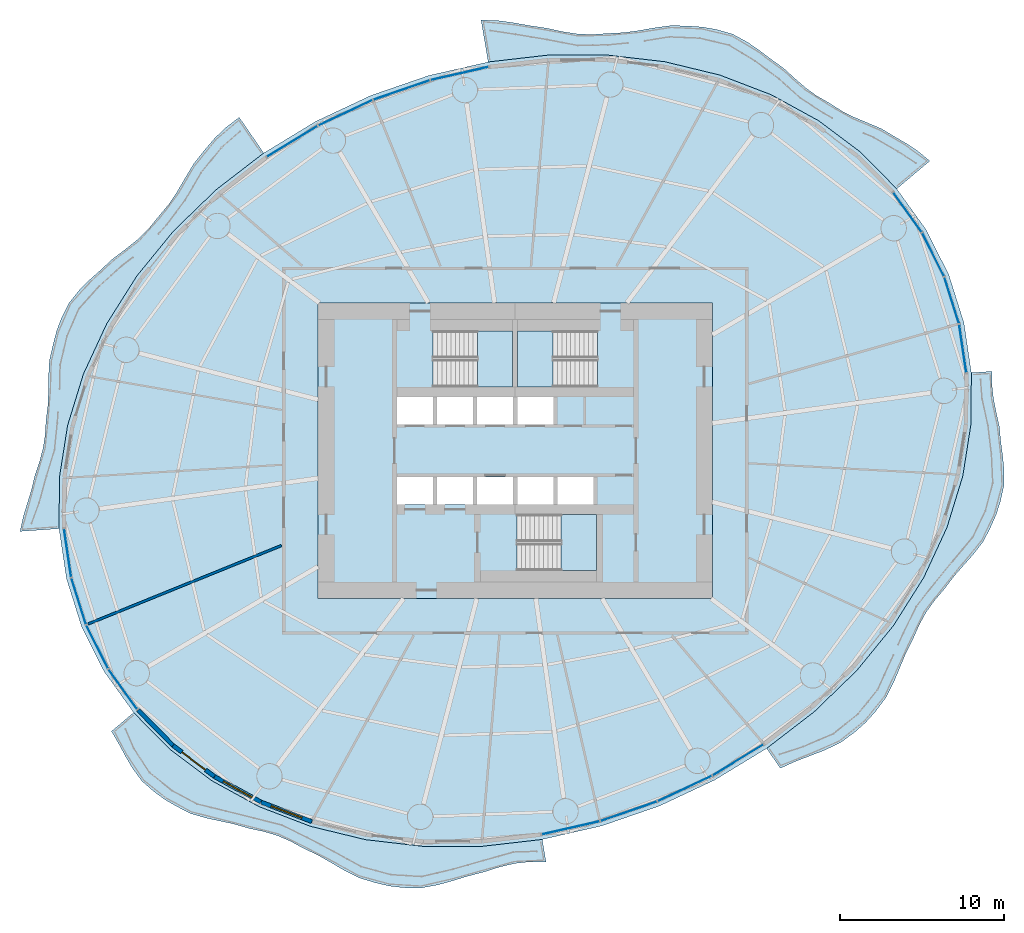
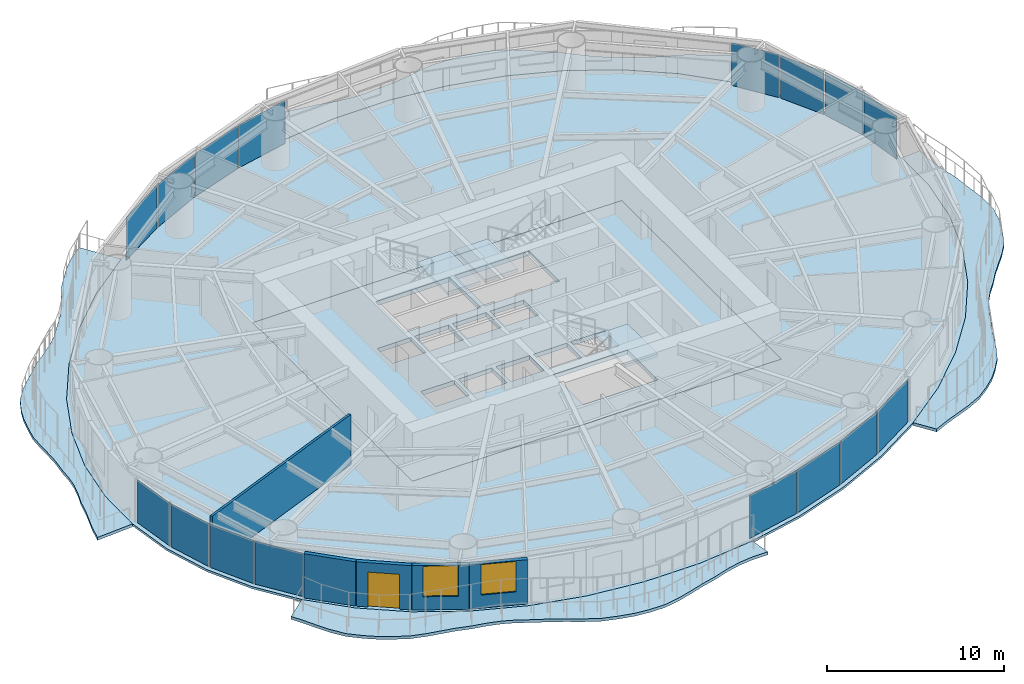
# One storey, part 6 of 15: 16 plates, 9 slabs, 5 walls, 2 windows, 1 door, 3 openings, 19 elements without a shape of their own.
"""IFC4 building model written with IfcOpenShell, lengths in metres."""

from ifc_helpers import new_model, si_unit, direction, frame, frame_2d, origin, origin_2d, place, context, subcontext, project, spatial, polyline, rectangle, outline, extrude, material, layer, layer_set, type_object, element, fill, aggregate, save


model = new_model("IFC4")

# Units and contexts
model_context = context("Model", 3, precision=1e-05, world=origin(), true_north=direction((0.0, 1.0)))
body_context = subcontext(model_context, "Body", "Model", "MODEL_VIEW")
ifc_project = project(units=[si_unit("LENGTHUNIT", "METRE"), si_unit("AREAUNIT", "SQUARE_METRE"), si_unit("VOLUMEUNIT", "CUBIC_METRE"), si_unit("PLANEANGLEUNIT", "RADIAN"), si_unit("MASSUNIT", "GRAM", prefix="KILO")], contexts=[model_context])

# Site, building, storey
site_placement = place(None, origin())
site = spatial("IfcSite", under=ifc_project, at=site_placement, CompositionType="ELEMENT")
building_placement = place(site_placement, origin())
building = spatial("IfcBuilding", under=site, at=building_placement, Name="Vermilion Reach Broadcast Tower", CompositionType="ELEMENT")
storey_placement = place(building_placement, frame((0.0, 0.0, 121.0)))
storey = spatial("IfcBuildingStorey", under=building, at=storey_placement, Name="L28", CompositionType="ELEMENT", Elevation=121.0)

# Slabs
ifc_material_1 = material(Name="Concrete C40/50", Category="concrete")
ifc_layer_1 = layer(ifc_material_1, 0.199951171875)
ifc_layer_set_1 = layer_set([ifc_layer_1], Name="Balcony slab 200")
slab_type_1 = type_object("IfcSlabType", Name="Balcony slab 200", PredefinedType="FLOOR", material=ifc_layer_set_1)
placement_1 = place(storey_placement, frame((0.0, 0.0, -0.199951171875)))
element("IfcSlab", 1, at=placement_1, inside=storey, type_object=slab_type_1, Name="Balcony slab L28 group 1", PredefinedType="FLOOR", context=body_context, shape_type="SweptSolid", body=[
    extrude(outline(polyline([(17.228515625, 15.943115234375), (15.03173828125, 18.17236328125), (12.474853515625, 20.090576171875), (9.60205078125, 21.665283203125), (6.462158203125, 22.869140625), (3.10888671875, 23.681640625), (-0.39990234375, 24.089111328125), (-4.0048828125, 24.084228515625), (-7.643798828125, 23.66748046875), (-8.07958984375, 26.22314453125), (-7.01025390625, 26.182861328125), (-6.073486328125, 26.0517578125), (-5.132568359375, 25.883056640625), (-4.099853515625, 25.73046875), (-3.10546875, 25.51318359375), (-2.2041015625, 25.375732421875), (-1.302978515625, 25.339111328125), (-0.324462890625, 25.4091796875), (0.64794921875, 25.458251953125), (1.5517578125, 25.58447265625), (2.45947265625, 25.74560546875), (3.502685546875, 25.88720703125), (4.5244140625, 25.860595703125), (5.396728515625, 25.798095703125), (6.247802734375, 25.6474609375), (7.238525390625, 25.362548828125), (8.133056640625, 24.879150390625), (8.84619140625, 24.390380859375), (9.543701171875, 23.861572265625), (10.349609375, 23.279541015625), (11.064697265625, 22.6298828125), (11.69873046875, 22.08251953125), (12.367431640625, 21.598876953125), (13.156005859375, 21.147705078125), (13.907958984375, 20.669189453125), (14.633544921875, 20.3046875), (15.393798828125, 19.986572265625), (16.288330078125, 19.6103515625), (17.10595703125, 19.117919921875), (17.807861328125, 18.711181640625), (18.4765625, 18.271484375), (19.24072265625, 17.640625), (17.228515625, 15.943115234375)])), origin(), (0.0, 0.0, 1.0), 0.199951171875),
])
element("IfcSlab", 2, at=placement_1, inside=storey, type_object=slab_type_1, Name="Balcony slab L28 group 2", PredefinedType="FLOOR", context=body_context, shape_type="SweptSolid", body=[
    extrude(outline(polyline([(-21.30908203125, 18.1240234375), (-24.2099609375, 15.887939453125), (-26.79931640625, 13.380126953125), (-29.032958984375, 10.643310546875), (-30.872314453125, 7.724365234375), (-32.2861328125, 4.67333984375), (-33.250244140625, 1.542236328125), (-33.748046875, -1.615234375), (-33.77099609375, -4.7451171875), (-36.1494140625, -4.91162109375), (-35.931884765625, -3.94677734375), (-35.69091796875, -3.166015625), (-35.451904296875, -2.38525390625), (-35.2412109375, -1.49267578125), (-34.947265625, -0.6171875), (-34.7431640625, 0.15966796875), (-34.621337890625, 0.949462890625), (-34.566162109375, 1.846923828125), (-34.4521484375, 2.769287109375), (-34.419677734375, 3.6162109375), (-34.4140625, 4.471435546875), (-34.361328125, 5.46923828125), (-34.13916015625, 6.45849609375), (-33.921875, 7.284423828125), (-33.628173828125, 8.074951171875), (-33.1796875, 8.979248046875), (-32.5283203125, 9.787353515625), (-31.901611328125, 10.411865234375), (-31.23291015625, 11.010009765625), (-30.492919921875, 11.693115234375), (-29.67529296875, 12.307373046875), (-28.972412109375, 12.873779296875), (-28.336181640625, 13.494384765625), (-27.731201171875, 14.236083984375), (-27.103271484375, 14.9892578125), (-26.590087890625, 15.7548828125), (-26.118408203125, 16.563232421875), (-25.576904296875, 17.468505859375), (-24.914794921875, 18.302490234375), (-24.308349609375, 19.015380859375), (-23.6455078125, 19.6552734375), (-22.8017578125, 20.29736328125), (-21.30908203125, 18.1240234375)])), origin(), (0.0, 0.0, 1.0), 0.199951171875),
])
element("IfcSlab", 3, at=placement_1, inside=storey, type_object=slab_type_1, Name="Balcony slab L28 group 3", PredefinedType="FLOOR", context=body_context, shape_type="SweptSolid", body=[
    extrude(outline(polyline([(-29.228515625, -15.943115234375), (-27.03173828125, -18.17236328125), (-24.474853515625, -20.090576171875), (-21.60205078125, -21.665283203125), (-18.462158203125, -22.869140625), (-15.10888671875, -23.681640625), (-11.60009765625, -24.089111328125), (-7.9951171875, -24.084228515625), (-4.356201171875, -23.66748046875), (-4.12451171875, -25.02587890625), (-5.1220703125, -25.02880859375), (-6.031982421875, -25.130126953125), (-6.9296875, -25.339111328125), (-7.90478515625, -25.6494140625), (-8.89404296875, -25.904052734375), (-9.794921875, -26.1787109375), (-10.69580078125, -26.431640625), (-11.7451171875, -26.624755859375), (-12.78125, -26.6064453125), (-13.65869140625, -26.505126953125), (-14.524169921875, -26.3037109375), (-15.52294921875, -26.0), (-16.444580078125, -25.53076171875), (-17.22119140625, -25.073486328125), (-18.001220703125, -24.629638671875), (-18.88037109375, -24.2119140625), (-19.706298828125, -23.76611328125), (-20.47998046875, -23.435546875), (-21.286865234375, -23.191650390625), (-22.21630859375, -22.99169921875), (-23.119873046875, -22.730712890625), (-23.9541015625, -22.548828125), (-24.791259765625, -22.3720703125), (-25.764404296875, -22.09130859375), (-26.6376953125, -21.641845703125), (-27.333251953125, -21.2373046875), (-27.9794921875, -20.76708984375), (-28.729248046875, -20.11474609375), (-29.311279296875, -19.3203125), (-29.718994140625, -18.62353515625), (-30.10400390625, -17.904296875), (-30.580322265625, -17.08349609375), (-29.228515625, -15.943115234375)])), origin(), (0.0, 0.0, 1.0), 0.199951171875),
])
element("IfcSlab", 4, at=placement_1, inside=storey, type_object=slab_type_1, Name="Balcony slab L28 group 4", PredefinedType="FLOOR", context=body_context, shape_type="SweptSolid", body=[
    extrude(outline(polyline([(9.30908203125, -18.1240234375), (12.2099609375, -15.887939453125), (14.79931640625, -13.380126953125), (17.032958984375, -10.643310546875), (18.872314453125, -7.724365234375), (20.2861328125, -4.67333984375), (21.250244140625, -1.542236328125), (21.748046875, 1.615234375), (21.77099609375, 4.7451171875), (23.026611328125, 4.8330078125), (23.032958984375, 3.953369140625), (23.118896484375, 3.170166015625), (23.273193359375, 2.386474609375), (23.47607421875, 1.473388671875), (23.56884765625, 0.519287109375), (23.67919921875, -0.30712890625), (23.75927734375, -1.12890625), (23.755615234375, -2.122314453125), (23.535400390625, -3.102783203125), (23.28515625, -3.8828125), (22.952392578125, -4.63720703125), (22.50146484375, -5.523193359375), (21.87255859375, -6.3349609375), (21.288330078125, -6.99072265625), (20.712158203125, -7.650390625), (20.134765625, -8.410888671875), (19.50927734375, -9.145263671875), (19.01025390625, -9.850341796875), (18.593994140625, -10.607666015625), (18.20751953125, -11.488037109375), (17.762939453125, -12.379150390625), (17.406982421875, -13.228271484375), (17.0537109375, -14.079833984375), (16.583740234375, -15.01904296875), (15.948486328125, -15.86181640625), (15.34765625, -16.536865234375), (14.672607421875, -17.13525390625), (13.82763671875, -17.75830078125), (12.85546875, -18.225341796875), (11.96533203125, -18.5703125), (11.07275390625, -18.912353515625), (10.140380859375, -19.33447265625), (9.30908203125, -18.1240234375)])), origin(), (0.0, 0.0, 1.0), 0.199951171875),
])
ifc_material_2 = material(Name="Concrete C40", Category="concrete")
ifc_layer_2 = layer(ifc_material_2, 0.300048828125)
ifc_layer_set_2 = layer_set([ifc_layer_2], Name="Core floor slab 300 mm Concrete C40")
slab_type_2 = type_object("IfcSlabType", Name="Core floor slab 300 mm Concrete C40", PredefinedType="FLOOR", material=ifc_layer_set_2)
slab_5_placement = place(storey_placement, frame((0.0, 0.0, -0.300048828125)))
element("IfcSlab", 5, at=slab_5_placement, inside=storey, type_object=slab_type_2, Name="L28 core floor", PredefinedType="FLOOR", context=body_context, shape_type="SweptSolid", body=[
    extrude(outline(polyline([(-18.0, -9.0), (6.0, -9.0), (6.0, 9.0), (-18.0, 9.0), (-18.0, -9.0)]), holes=[polyline([(-13.199951171875, 1.60009765625), (-11.00830078125, 1.60009765625), (-11.00830078125, 3.280029296875), (-13.199951171875, 3.280029296875), (-13.199951171875, 1.60009765625)]), polyline([(-10.75830078125, 1.60009765625), (-8.566650390625, 1.60009765625), (-8.566650390625, 3.280029296875), (-10.75830078125, 3.280029296875), (-10.75830078125, 1.60009765625)]), polyline([(-8.316650390625, 1.60009765625), (-6.125, 1.60009765625), (-6.125, 3.280029296875), (-8.316650390625, 3.280029296875), (-8.316650390625, 1.60009765625)]), polyline([(-5.875, 1.60009765625), (-3.683349609375, 1.60009765625), (-3.683349609375, 3.280029296875), (-5.875, 3.280029296875), (-5.875, 1.60009765625)]), polyline([(-13.199951171875, -3.280029296875), (-11.00830078125, -3.280029296875), (-11.00830078125, -1.60009765625), (-13.199951171875, -1.60009765625), (-13.199951171875, -3.280029296875)]), polyline([(-10.75830078125, -3.280029296875), (-8.566650390625, -3.280029296875), (-8.566650390625, -1.60009765625), (-10.75830078125, -1.60009765625), (-10.75830078125, -3.280029296875)]), polyline([(-8.316650390625, -3.280029296875), (-6.125, -3.280029296875), (-6.125, -1.60009765625), (-8.316650390625, -1.60009765625), (-8.316650390625, -3.280029296875)]), polyline([(-5.875, -3.280029296875), (-3.683349609375, -3.280029296875), (-3.683349609375, -1.60009765625), (-5.875, -1.60009765625), (-5.875, -3.280029296875)]), polyline([(-3.433349609375, -3.280029296875), (-1.24169921875, -3.280029296875), (-1.24169921875, -1.60009765625), (-3.433349609375, -1.60009765625), (-3.433349609375, -3.280029296875)]), polyline([(-10.999267578125, 3.8798828125), (-6.14990234375, 3.8798828125), (-6.14990234375, 7.300048828125), (-10.999267578125, 7.300048828125), (-10.999267578125, 3.8798828125)]), polyline([(-1.000732421875, 7.300048828125), (-5.85009765625, 7.300048828125), (-5.85009765625, 3.8798828125), (-1.000732421875, 3.8798828125), (-1.000732421875, 7.300048828125)]), polyline([(-5.8994140625, -7.300048828125), (-1.050048828125, -7.300048828125), (-1.050048828125, -3.8798828125), (-5.8994140625, -3.8798828125), (-5.8994140625, -7.300048828125)])]), origin(), (0.0, 0.0, 1.0), 0.300048828125),
])

# Stair, slab
ifc_material_3 = material(Name="Concrete C40", Category="concrete")
stair_type = type_object("IfcStairType", Name="Exit stair RC 22 risers 164 mm", PredefinedType="HALF_TURN_STAIR", material=ifc_material_3)
placement_2 = place(storey_placement, origin())
stair_1 = element("IfcStair", 6, at=placement_2, inside=storey, type_object=stair_type, Name="L28 Exit stair ST1", PredefinedType="HALF_TURN_STAIR")
ifc_material_4 = material(Name="Concrete C40", Category="concrete")
ifc_layer_3 = layer(ifc_material_4, 0.199951171875)
ifc_layer_set_3 = layer_set([ifc_layer_3], Name="Exit stair landing Concrete C40")
slab_type_3 = type_object("IfcSlabType", Name="Exit stair landing Concrete C40", PredefinedType="LANDING", material=ifc_layer_set_3)
placement_3 = place(storey_placement, frame((0.0, 0.0, 1.60009765625)))
slab_6 = element("IfcSlab", 7, at=placement_3, type_object=slab_type_3, Name="ST1 landing 1", PredefinedType="LANDING", context=body_context, shape_type="SweptSolid", body=[
    extrude(outline(polyline([(-8.300048828125, 3.8798828125), (-6.14990234375, 3.8798828125), (-6.14990234375, 7.300048828125), (-8.300048828125, 7.300048828125), (-8.300048828125, 3.8798828125)])), origin(), (0.0, 0.0, 1.0), 0.199951171875),
])
aggregate(stair_1, [slab_6])

stair_2 = element("IfcStair", 8, at=placement_2, inside=storey, type_object=stair_type, Name="L28 Exit stair ST2", PredefinedType="HALF_TURN_STAIR")
slab_7 = element("IfcSlab", 9, at=placement_3, type_object=slab_type_3, Name="ST2 landing 1", PredefinedType="LANDING", context=body_context, shape_type="SweptSolid", body=[
    extrude(outline(polyline([(-3.699951171875, 7.300048828125), (-5.85009765625, 7.300048828125), (-5.85009765625, 3.8798828125), (-3.699951171875, 3.8798828125), (-3.699951171875, 7.300048828125)])), origin(), (0.0, 0.0, 1.0), 0.199951171875),
])
aggregate(stair_2, [slab_7])

stair_3 = element("IfcStair", 10, at=placement_2, inside=storey, type_object=stair_type, Name="L28 Exit stair ST3", PredefinedType="HALF_TURN_STAIR")
slab_8 = element("IfcSlab", 11, at=placement_3, type_object=slab_type_3, Name="ST3 landing 1", PredefinedType="LANDING", context=body_context, shape_type="SweptSolid", body=[
    extrude(outline(polyline([(-3.199951171875, -7.300048828125), (-1.050048828125, -7.300048828125), (-1.050048828125, -3.8798828125), (-3.199951171875, -3.8798828125), (-3.199951171875, -7.300048828125)])), origin(), (0.0, 0.0, 1.0), 0.199951171875),
])
aggregate(stair_3, [slab_8])

# Slab
ifc_material_5 = material(Name="Concrete C40", Category="concrete")
ifc_layer_4 = layer(ifc_material_5, 0.14990234375)
ifc_layer_set_4 = layer_set([ifc_layer_4], Name="Floor slab Concrete C40 composite 150")
slab_type_4 = type_object("IfcSlabType", Name="Floor slab Concrete C40 composite 150", PredefinedType="FLOOR", material=ifc_layer_set_4)
slab_9_placement = place(storey_placement, frame((0.0, 0.0, -0.14990234375)))
element("IfcSlab", 12, at=slab_9_placement, inside=storey, type_object=slab_type_4, Name="Floor slab L28", PredefinedType="FLOOR", context=body_context, shape_type="SweptSolid", body=[
    extrude(outline(polyline([(20.3994140625, 10.708984375), (19.028076171875, 13.44091796875), (17.228515625, 15.943115234375), (15.03173828125, 18.17236328125), (12.474853515625, 20.090576171875), (9.60205078125, 21.665283203125), (6.462158203125, 22.869140625), (3.10888671875, 23.681640625), (-0.39990234375, 24.089111328125), (-4.0048828125, 24.084228515625), (-7.643798828125, 23.66748046875), (-11.25439453125, 22.845458984375), (-14.775390625, 21.6328125), (-18.146240234375, 20.050048828125), (-21.30908203125, 18.1240234375), (-24.2099609375, 15.887939453125), (-26.79931640625, 13.380126953125), (-29.032958984375, 10.643310546875), (-30.872314453125, 7.724365234375), (-32.2861328125, 4.67333984375), (-33.250244140625, 1.542236328125), (-33.748046875, -1.615234375), (-33.77099609375, -4.7451171875), (-33.31884765625, -7.793701171875), (-32.3994140625, -10.708984375), (-31.028076171875, -13.44091796875), (-29.228515625, -15.943115234375), (-27.03173828125, -18.17236328125), (-24.474853515625, -20.090576171875), (-21.60205078125, -21.665283203125), (-18.462158203125, -22.869140625), (-15.10888671875, -23.681640625), (-11.60009765625, -24.089111328125), (-7.9951171875, -24.084228515625), (-4.356201171875, -23.66748046875), (-0.74560546875, -22.845458984375), (2.775390625, -21.6328125), (6.146240234375, -20.050048828125), (9.30908203125, -18.1240234375), (12.2099609375, -15.887939453125), (14.79931640625, -13.380126953125), (17.032958984375, -10.643310546875), (18.872314453125, -7.724365234375), (20.2861328125, -4.67333984375), (21.250244140625, -1.542236328125), (21.748046875, 1.615234375), (21.77099609375, 4.7451171875), (21.31884765625, 7.793701171875), (20.3994140625, 10.708984375)]), holes=[polyline([(-18.0, -9.0), (6.0, -9.0), (6.0, 9.0), (-18.0, 9.0), (-18.0, -9.0)])]), origin(), (0.0, 0.0, 1.0), 0.14990234375),
])

# Curtain wall, plate
ifc_material_6 = material(Name="Low-e laminated clear glass in aluminium frame", Category="aluminium")
curtain_wall_type = type_object("IfcCurtainWallType", Name="Slot curtain wall", PredefinedType="NOTDEFINED", material=ifc_material_6)
curtain_wall_1 = element("IfcCurtainWall", 13, at=placement_2, inside=storey, type_object=curtain_wall_type, Name="Slot curtain wall L28 46", PredefinedType="NOTDEFINED")
ifc_material_7 = material(Name="Low-e laminated clear glass", Category="glass")
ifc_layer_5 = layer(ifc_material_7, 0.028076171875)
ifc_layer_set_5 = layer_set([ifc_layer_5], Name="Slot glass panel")
plate_type = type_object("IfcPlateType", Name="Slot glass panel", PredefinedType="CURTAIN_PANEL", material=ifc_layer_set_5)
plate_1_placement = place(storey_placement, frame((21.249267578125, 6.225341796875, 0.0), z_axis=(0.0, 0.0, 1.0), x_axis=(-0.146695489016, 0.989181698932, 0.0)))
plate_1 = element("IfcPlate", 14, at=plate_1_placement, type_object=plate_type, Name="Slot glass panel L28 46", PredefinedType="CURTAIN_PANEL", context=body_context, shape_type="SweptSolid", body=[
    extrude(rectangle(XDim=2.955078125, YDim=0.028076171875, at=origin_2d()), origin(), (0.0, 0.0, 1.0), 2.949951171875),
])
aggregate(curtain_wall_1, [plate_1])

curtain_wall_2 = element("IfcCurtainWall", 15, at=placement_2, inside=storey, type_object=curtain_wall_type, Name="Slot curtain wall L28 47", PredefinedType="NOTDEFINED")
plate_2_placement = place(storey_placement, frame((20.573974609375, 9.161376953125, 0.0), z_axis=(0.0, 0.0, 1.0), x_axis=(-0.300818603328, 0.953681376505, 0.0)))
plate_2 = element("IfcPlate", 16, at=plate_2_placement, type_object=plate_type, Name="Slot glass panel L28 47", PredefinedType="CURTAIN_PANEL", context=body_context, shape_type="SweptSolid", body=[
    extrude(rectangle(XDim=2.92919921875, YDim=0.028076171875, at=origin_2d()), origin(), (0.0, 0.0, 1.0), 2.949951171875),
])
aggregate(curtain_wall_2, [plate_2])

curtain_wall_3 = element("IfcCurtainWall", 17, at=placement_2, inside=storey, type_object=curtain_wall_type, Name="Slot curtain wall L28 00", PredefinedType="NOTDEFINED")
plate_3_placement = place(storey_placement, frame((19.446533203125, 11.94091796875, 0.0), z_axis=(0.0, 0.0, 1.0), x_axis=(-0.448589813302, 0.893737757624, 0.0)))
plate_3 = element("IfcPlate", 18, at=plate_3_placement, type_object=plate_type, Name="Slot glass panel L28 00", PredefinedType="CURTAIN_PANEL", context=body_context, shape_type="SweptSolid", body=[
    extrude(rectangle(XDim=2.92919921875, YDim=0.028076171875, at=origin_2d()), origin(), (0.0, 0.0, 1.0), 2.949951171875),
])
aggregate(curtain_wall_3, [plate_3])

curtain_wall_4 = element("IfcCurtainWall", 19, at=placement_2, inside=storey, type_object=curtain_wall_type, Name="Slot curtain wall L28 01", PredefinedType="NOTDEFINED")
plate_4_placement = place(storey_placement, frame((17.885498046875, 14.517578125, 0.0), z_axis=(0.0, 0.0, 1.0), x_axis=(-0.58388852495, 0.811833844103, 0.0)))
plate_4 = element("IfcPlate", 20, at=plate_4_placement, type_object=plate_type, Name="Slot glass panel L28 01", PredefinedType="CURTAIN_PANEL", context=body_context, shape_type="SweptSolid", body=[
    extrude(rectangle(XDim=2.955078125, YDim=0.028076171875, at=origin_2d()), origin(), (0.0, 0.0, 1.0), 2.949951171875),
])
aggregate(curtain_wall_4, [plate_4])

curtain_wall_5 = element("IfcCurtainWall", 21, at=placement_2, inside=storey, type_object=curtain_wall_type, Name="Slot curtain wall L28 10", PredefinedType="NOTDEFINED")
plate_5_placement = place(storey_placement, frame((-9.3828125, 22.96435546875, 0.0), z_axis=(0.0, 0.0, 1.0), x_axis=(-0.975062459715, -0.221930619011, 0.0)))
plate_5 = element("IfcPlate", 22, at=plate_5_placement, type_object=plate_type, Name="Slot glass panel L28 10", PredefinedType="CURTAIN_PANEL", context=body_context, shape_type="SweptSolid", body=[
    extrude(rectangle(XDim=3.590576171875, YDim=0.028076171875, at=origin_2d()), origin(), (0.0, 0.0, 1.0), 2.949951171875),
])
aggregate(curtain_wall_5, [plate_5])

curtain_wall_6 = element("IfcCurtainWall", 23, at=placement_2, inside=storey, type_object=curtain_wall_type, Name="Slot curtain wall L28 11", PredefinedType="NOTDEFINED")
plate_6_placement = place(storey_placement, frame((-12.91748046875, 21.9560546875, 0.0), z_axis=(0.0, 0.0, 1.0), x_axis=(-0.945486299836, -0.325661874991, 0.0)))
plate_6 = element("IfcPlate", 24, at=plate_6_placement, type_object=plate_type, Name="Slot glass panel L28 11", PredefinedType="CURTAIN_PANEL", context=body_context, shape_type="SweptSolid", body=[
    extrude(rectangle(XDim=3.611572265625, YDim=0.028076171875, at=origin_2d()), origin(), (0.0, 0.0, 1.0), 2.949951171875),
])
aggregate(curtain_wall_6, [plate_6])

curtain_wall_7 = element("IfcCurtainWall", 25, at=placement_2, inside=storey, type_object=curtain_wall_type, Name="Slot curtain wall L28 12", PredefinedType="NOTDEFINED")
plate_7_placement = place(storey_placement, frame((-16.33349609375, 20.5703125, 0.0), z_axis=(0.0, 0.0, 1.0), x_axis=(-0.905166238406, -0.425057738254, 0.0)))
plate_7 = element("IfcPlate", 26, at=plate_7_placement, type_object=plate_type, Name="Slot glass panel L28 12", PredefinedType="CURTAIN_PANEL", context=body_context, shape_type="SweptSolid", body=[
    extrude(rectangle(XDim=3.611572265625, YDim=0.028076171875, at=origin_2d()), origin(), (0.0, 0.0, 1.0), 2.949951171875),
])
aggregate(curtain_wall_7, [plate_7])

curtain_wall_8 = element("IfcCurtainWall", 27, at=placement_2, inside=storey, type_object=curtain_wall_type, Name="Slot curtain wall L28 13", PredefinedType="NOTDEFINED")
plate_8_placement = place(storey_placement, frame((-19.57177734375, 18.831298828125, 0.0), z_axis=(0.0, 0.0, 1.0), x_axis=(-0.854118106514, -0.52007909026, 0.0)))
plate_8 = element("IfcPlate", 28, at=plate_8_placement, type_object=plate_type, Name="Slot glass panel L28 13", PredefinedType="CURTAIN_PANEL", context=body_context, shape_type="SweptSolid", body=[
    extrude(rectangle(XDim=3.590576171875, YDim=0.028076171875, at=origin_2d()), origin(), (0.0, 0.0, 1.0), 2.949951171875),
])
aggregate(curtain_wall_8, [plate_8])

curtain_wall_9 = element("IfcCurtainWall", 29, at=placement_2, inside=storey, type_object=curtain_wall_type, Name="Slot curtain wall L28 22", PredefinedType="NOTDEFINED")
plate_9_placement = place(storey_placement, frame((-33.249267578125, -6.225341796875, 0.0), z_axis=(0.0, 0.0, 1.0), x_axis=(0.146695489016, -0.989181698932, 0.0)))
plate_9 = element("IfcPlate", 30, at=plate_9_placement, type_object=plate_type, Name="Slot glass panel L28 22", PredefinedType="CURTAIN_PANEL", context=body_context, shape_type="SweptSolid", body=[
    extrude(rectangle(XDim=2.955078125, YDim=0.028076171875, at=origin_2d()), origin(), (0.0, 0.0, 1.0), 2.949951171875),
])
aggregate(curtain_wall_9, [plate_9])

curtain_wall_10 = element("IfcCurtainWall", 31, at=placement_2, inside=storey, type_object=curtain_wall_type, Name="Slot curtain wall L28 23", PredefinedType="NOTDEFINED")
plate_10_placement = place(storey_placement, frame((-32.573974609375, -9.161376953125, 0.0), z_axis=(0.0, 0.0, 1.0), x_axis=(0.300818603328, -0.953681376505, 0.0)))
plate_10 = element("IfcPlate", 32, at=plate_10_placement, type_object=plate_type, Name="Slot glass panel L28 23", PredefinedType="CURTAIN_PANEL", context=body_context, shape_type="SweptSolid", body=[
    extrude(rectangle(XDim=2.92919921875, YDim=0.028076171875, at=origin_2d()), origin(), (0.0, 0.0, 1.0), 2.949951171875),
])
aggregate(curtain_wall_10, [plate_10])

curtain_wall_11 = element("IfcCurtainWall", 33, at=placement_2, inside=storey, type_object=curtain_wall_type, Name="Slot curtain wall L28 24", PredefinedType="NOTDEFINED")
plate_11_placement = place(storey_placement, frame((-31.446533203125, -11.94091796875, 0.0), z_axis=(0.0, 0.0, 1.0), x_axis=(0.448589813302, -0.893737757624, 0.0)))
plate_11 = element("IfcPlate", 34, at=plate_11_placement, type_object=plate_type, Name="Slot glass panel L28 24", PredefinedType="CURTAIN_PANEL", context=body_context, shape_type="SweptSolid", body=[
    extrude(rectangle(XDim=2.92919921875, YDim=0.028076171875, at=origin_2d()), origin(), (0.0, 0.0, 1.0), 2.949951171875),
])
aggregate(curtain_wall_11, [plate_11])

curtain_wall_12 = element("IfcCurtainWall", 35, at=placement_2, inside=storey, type_object=curtain_wall_type, Name="Slot curtain wall L28 25", PredefinedType="NOTDEFINED")
plate_12_placement = place(storey_placement, frame((-29.885498046875, -14.517578125, 0.0), z_axis=(0.0, 0.0, 1.0), x_axis=(0.58388852495, -0.811833844103, 0.0)))
plate_12 = element("IfcPlate", 36, at=plate_12_placement, type_object=plate_type, Name="Slot glass panel L28 25", PredefinedType="CURTAIN_PANEL", context=body_context, shape_type="SweptSolid", body=[
    extrude(rectangle(XDim=2.955078125, YDim=0.028076171875, at=origin_2d()), origin(), (0.0, 0.0, 1.0), 2.949951171875),
])
aggregate(curtain_wall_12, [plate_12])

curtain_wall_13 = element("IfcCurtainWall", 37, at=placement_2, inside=storey, type_object=curtain_wall_type, Name="Slot curtain wall L28 34", PredefinedType="NOTDEFINED")
plate_13_placement = place(storey_placement, frame((-2.6171875, -22.96435546875, 0.0), z_axis=(0.0, 0.0, 1.0), x_axis=(0.975062459715, 0.221930619011, 0.0)))
plate_13 = element("IfcPlate", 38, at=plate_13_placement, type_object=plate_type, Name="Slot glass panel L28 34", PredefinedType="CURTAIN_PANEL", context=body_context, shape_type="SweptSolid", body=[
    extrude(rectangle(XDim=3.590576171875, YDim=0.028076171875, at=origin_2d()), origin(), (0.0, 0.0, 1.0), 2.949951171875),
])
aggregate(curtain_wall_13, [plate_13])

curtain_wall_14 = element("IfcCurtainWall", 39, at=placement_2, inside=storey, type_object=curtain_wall_type, Name="Slot curtain wall L28 35", PredefinedType="NOTDEFINED")
plate_14_placement = place(storey_placement, frame((0.91748046875, -21.9560546875, 0.0), z_axis=(0.0, 0.0, 1.0), x_axis=(0.945486299836, 0.325661874991, 0.0)))
plate_14 = element("IfcPlate", 40, at=plate_14_placement, type_object=plate_type, Name="Slot glass panel L28 35", PredefinedType="CURTAIN_PANEL", context=body_context, shape_type="SweptSolid", body=[
    extrude(rectangle(XDim=3.611572265625, YDim=0.028076171875, at=origin_2d()), origin(), (0.0, 0.0, 1.0), 2.949951171875),
])
aggregate(curtain_wall_14, [plate_14])

curtain_wall_15 = element("IfcCurtainWall", 41, at=placement_2, inside=storey, type_object=curtain_wall_type, Name="Slot curtain wall L28 36", PredefinedType="NOTDEFINED")
plate_15_placement = place(storey_placement, frame((4.33349609375, -20.5703125, 0.0), z_axis=(0.0, 0.0, 1.0), x_axis=(0.905166238406, 0.425057738254, 0.0)))
plate_15 = element("IfcPlate", 42, at=plate_15_placement, type_object=plate_type, Name="Slot glass panel L28 36", PredefinedType="CURTAIN_PANEL", context=body_context, shape_type="SweptSolid", body=[
    extrude(rectangle(XDim=3.611572265625, YDim=0.028076171875, at=origin_2d()), origin(), (0.0, 0.0, 1.0), 2.949951171875),
])
aggregate(curtain_wall_15, [plate_15])

curtain_wall_16 = element("IfcCurtainWall", 43, at=placement_2, inside=storey, type_object=curtain_wall_type, Name="Slot curtain wall L28 37", PredefinedType="NOTDEFINED")
plate_16_placement = place(storey_placement, frame((7.57177734375, -18.831298828125, 0.0), z_axis=(0.0, 0.0, 1.0), x_axis=(0.854118106514, 0.52007909026, 0.0)))
plate_16 = element("IfcPlate", 44, at=plate_16_placement, type_object=plate_type, Name="Slot glass panel L28 37", PredefinedType="CURTAIN_PANEL", context=body_context, shape_type="SweptSolid", body=[
    extrude(rectangle(XDim=3.590576171875, YDim=0.028076171875, at=origin_2d()), origin(), (0.0, 0.0, 1.0), 2.949951171875),
])
aggregate(curtain_wall_16, [plate_16])

# Walls
ifc_material_8 = material(Name="Lightweight concrete block, plastered", Category="concrete")
ifc_layer_6 = layer(ifc_material_8, 0.14990234375)
ifc_layer_set_6 = layer_set([ifc_layer_6], Name="Partition 150 lightweight block")
wall_type_1 = type_object("IfcWallType", Name="Partition 150 lightweight block", PredefinedType="PARTITIONING", material=ifc_layer_set_6)
wall_1_placement = place(storey_placement, frame((-32.005615234375, -10.549072265625, 0.0), z_axis=(0.0, 0.0, 1.0), x_axis=(0.926664050795, 0.375890591749, 0.0)))
element("IfcWall", 45, at=wall_1_placement, inside=storey, type_object=wall_type_1, Name="Partition 28.07", PredefinedType="PARTITIONING", context=body_context, shape_type="SweptSolid", body=[
    extrude(rectangle(XDim=12.70947265625, YDim=0.14990234375, at=frame_2d((6.354736328125, 0.0))), origin(), (0.0, 0.0, 1.0), 3.449951171875),
])
ifc_material_9 = material(Name="Terracotta rainscreen cladding", Category="masonry")
ifc_layer_7 = layer(ifc_material_9, 0.25)
ifc_layer_set_7 = layer_set([ifc_layer_7], Name="Terracotta rainscreen wall 250")
wall_type_2 = type_object("IfcWallType", Name="Terracotta rainscreen wall 250", PredefinedType="SOLIDWALL", material=ifc_layer_set_7)
wall_2_placement = place(storey_placement, frame((-28.9609375, -15.78857421875, 0.0), z_axis=(0.0, 0.0, 1.0), x_axis=(0.701948142778, -0.71222805677, 0.0)))
element("IfcWall", 46, at=wall_2_placement, inside=storey, type_object=wall_type_2, Name="External wall L28 26", PredefinedType="SOLIDWALL", context=body_context, shape_type="SweptSolid", body=[
    extrude(rectangle(XDim=3.01611328125, YDim=0.25, at=frame_2d((1.508056640625, 0.0))), origin(), (0.0, 0.0, 1.0), 3.050048828125),
])

# Wall, opening, door
wall_3_placement = place(storey_placement, frame((-26.82373046875, -17.954345703125, 0.0), z_axis=(0.0, 0.0, 1.0), x_axis=(0.799896906683, -0.60013743316, 0.0)))
wall_3 = element("IfcWall", 47, at=wall_3_placement, inside=storey, type_object=wall_type_2, Name="External wall L28 27", PredefinedType="SOLIDWALL", context=body_context, shape_type="SweptSolid", body=[
    extrude(rectangle(XDim=3.126220703125, YDim=0.25, at=frame_2d((1.56298828125, 0.0))), origin(), (0.0, 0.0, 1.0), 3.050048828125),
])
opening_1_placement = place(wall_3_placement, frame((0.6630859375, 0.0, 0.0)))
opening_1 = element("IfcOpeningElement", 48, at=opening_1_placement, cuts=wall_3, Name="Opening D70", PredefinedType="OPENING", context=body_context, shape_type="SweptSolid", body=[
    extrude(rectangle(XDim=1.800048828125, YDim=2.39990234375, at=frame_2d((0.89990234375, 1.199951171875))), frame((0.0, 0.135009765625, 0.0), z_axis=(0.0, -1.0, 0.0), x_axis=(1.0, 0.0, 0.0)), (0.0, 0.0, 1.0), 0.27001953125),
])
ifc_material_10 = material(Name="Low-e laminated clear glass in aluminium frame", Category="aluminium")
door_type = type_object("IfcDoorType", Name="Balcony sliding door 1800 x 2400", OperationType="DOUBLE_DOOR_SLIDING", PredefinedType="DOOR", material=ifc_material_10)
door_placement = place(opening_1_placement, origin())
door = element("IfcDoor", 49, at=door_placement, inside=storey, type_object=door_type, Name="Balcony door L28 run 07", OperationType="DOUBLE_DOOR_SLIDING", OverallHeight=2.39990234375, OverallWidth=1.800048828125, PredefinedType="DOOR", context=body_context, shape_type="SweptSolid", body=[
    extrude(rectangle(XDim=1.800048828125, YDim=2.39990234375, at=frame_2d((0.89990234375, 1.199951171875))), frame((0.0, 0.02490234375, 0.0), z_axis=(0.0, -1.0, 0.0), x_axis=(1.0, 0.0, 0.0)), (0.0, 0.0, 1.0), 0.050048828125),
])
fill(opening_1, door)

# Wall, opening, window
wall_4_placement = place(storey_placement, frame((-24.30126953125, -19.844482421875, 0.0), z_axis=(0.0, 0.0, 1.0), x_axis=(0.876916884628, -0.480642047114, 0.0)))
wall_4 = element("IfcWall", 50, at=wall_4_placement, inside=storey, type_object=wall_type_2, Name="External wall L28 28", PredefinedType="SOLIDWALL", context=body_context, shape_type="SweptSolid", body=[
    extrude(rectangle(XDim=3.209228515625, YDim=0.25, at=frame_2d((1.6044921875, 0.0))), origin(), (0.0, 0.0, 1.0), 3.050048828125),
])
opening_2_placement = place(wall_4_placement, frame((0.6044921875, 0.0, 0.89990234375)))
opening_2 = element("IfcOpeningElement", 51, at=opening_2_placement, cuts=wall_4, Name="Opening W03", PredefinedType="OPENING", context=body_context, shape_type="SweptSolid", body=[
    extrude(rectangle(XDim=2.0, YDim=2.10009765625, at=frame_2d((1.0, 1.050048828125))), frame((0.0, 0.135009765625, 0.0), z_axis=(0.0, -1.0, 0.0), x_axis=(1.0, 0.0, 0.0)), (0.0, 0.0, 1.0), 0.27001953125),
])
ifc_material_11 = material(Name="Low-e laminated clear glass in aluminium frame", Category="aluminium")
window_type = type_object("IfcWindowType", Name="Punched window 2000 x 2100 sill 900", PartitioningType="SINGLE_PANEL", PredefinedType="WINDOW", material=ifc_material_11)
window_1_placement = place(opening_2_placement, origin())
window_1 = element("IfcWindow", 52, at=window_1_placement, inside=storey, type_object=window_type, Name="Window L28 28", OverallHeight=2.10009765625, OverallWidth=2.0, PartitioningType="SINGLE_PANEL", PredefinedType="WINDOW", context=body_context, shape_type="SweptSolid", body=[
    extrude(rectangle(XDim=2.0, YDim=2.10009765625, at=frame_2d((1.0, 1.050048828125))), frame((0.0, 0.030029296875, 0.0), z_axis=(0.0, -1.0, 0.0), x_axis=(1.0, 0.0, 0.0)), (0.0, 0.0, 1.0), 0.06005859375),
])
fill(opening_2, window_1)

wall_5_placement = place(storey_placement, frame((-21.46435546875, -21.3974609375, 0.0), z_axis=(0.0, 0.0, 1.0), x_axis=(0.933724677667, -0.357991936103, 0.0)))
wall_5 = element("IfcWall", 53, at=wall_5_placement, inside=storey, type_object=wall_type_2, Name="External wall L28 29", PredefinedType="SOLIDWALL", context=body_context, shape_type="SweptSolid", body=[
    extrude(rectangle(XDim=3.298583984375, YDim=0.25, at=frame_2d((1.6494140625, 0.0))), origin(), (0.0, 0.0, 1.0), 3.050048828125),
])
opening_3_placement = place(wall_5_placement, frame((0.6494140625, 0.0, 0.89990234375)))
opening_3 = element("IfcOpeningElement", 54, at=opening_3_placement, cuts=wall_5, Name="Opening W03", PredefinedType="OPENING", context=body_context, shape_type="SweptSolid", body=[
    extrude(rectangle(XDim=2.0, YDim=2.10009765625, at=frame_2d((1.0, 1.050048828125))), frame((0.0, 0.135009765625, 0.0), z_axis=(0.0, -1.0, 0.0), x_axis=(1.0, 0.0, 0.0)), (0.0, 0.0, 1.0), 0.27001953125),
])
window_2_placement = place(opening_3_placement, origin())
window_2 = element("IfcWindow", 55, at=window_2_placement, inside=storey, type_object=window_type, Name="Window L28 29", OverallHeight=2.10009765625, OverallWidth=2.0, PartitioningType="SINGLE_PANEL", PredefinedType="WINDOW", context=body_context, shape_type="SweptSolid", body=[
    extrude(rectangle(XDim=2.0, YDim=2.10009765625, at=frame_2d((1.0, 1.050048828125))), frame((0.0, 0.030029296875, 0.0), z_axis=(0.0, -1.0, 0.0), x_axis=(1.0, 0.0, 0.0)), (0.0, 0.0, 1.0), 0.06005859375),
])
fill(opening_3, window_2)

save(model, "model.ifc")
